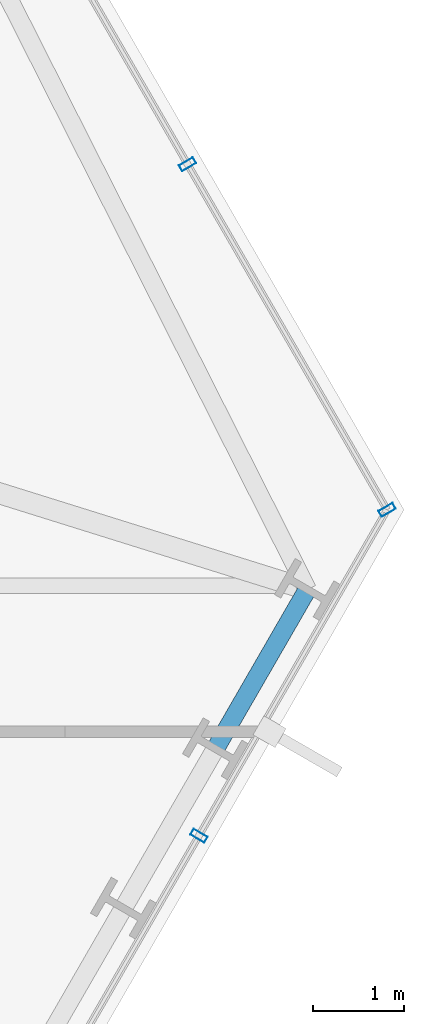
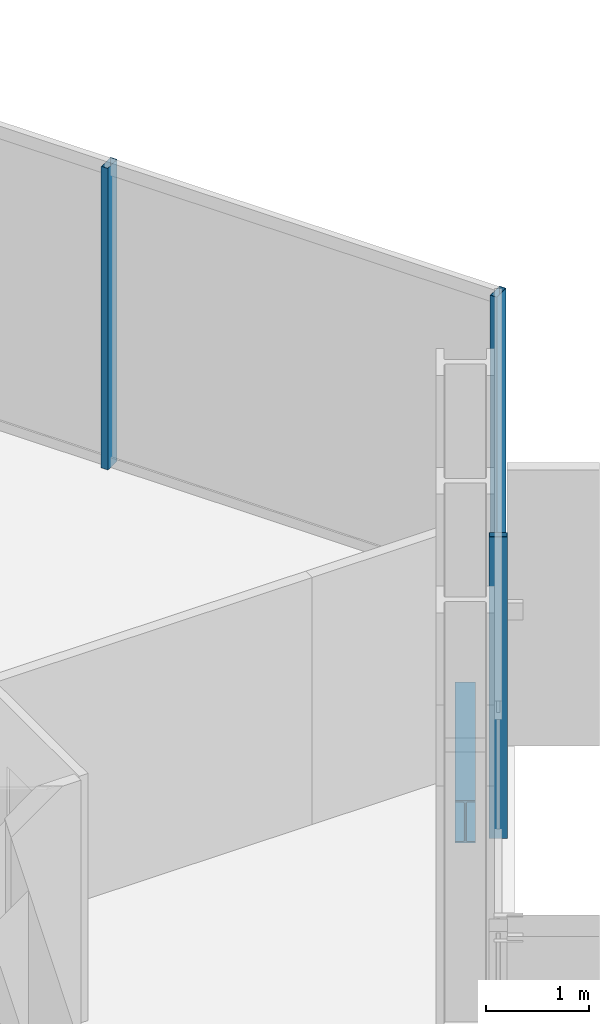
# One storey, part 16 of 33: 3 members, 1 beam, 2 elements without a shape of their own.
"""IFC4 building model written with IfcOpenShell, lengths in metres."""

from ifc_helpers import new_model, si_unit, direction, frame, origin, origin_2d, place, context, subcontext, project, spatial, hollow_rectangle, i_section, extrude, material, layer, layer_set, material_profile, profile_set, type_object, element, aggregate, save


model = new_model("IFC4")

# Units and contexts
model_context = context("Model", 3, precision=1e-05, world=origin(), true_north=direction((0.0, 1.0)))
body_context = subcontext(model_context, "Body", "Model", "MODEL_VIEW")
ifc_project = project(units=[si_unit("LENGTHUNIT", "METRE"), si_unit("AREAUNIT", "SQUARE_METRE"), si_unit("VOLUMEUNIT", "CUBIC_METRE"), si_unit("PLANEANGLEUNIT", "RADIAN"), si_unit("MASSUNIT", "GRAM", prefix="KILO")], contexts=[model_context])

# Site, building, storey
site_placement = place(None, origin())
site = spatial("IfcSite", under=ifc_project, at=site_placement, CompositionType="ELEMENT")
building_placement = place(site_placement, origin())
building = spatial("IfcBuilding", under=site, at=building_placement, Name="Ndaravel Arena Tower", CompositionType="ELEMENT")
storey_placement = place(building_placement, frame((0.0, 0.0, 36.0)))
storey = spatial("IfcBuildingStorey", under=building, at=storey_placement, Name="L06", CompositionType="ELEMENT", Elevation=36.0)

# Beam
ifc_material_1 = material(Name="Steel S355", Category="steel")
ifc_material_profile_1 = material_profile(ifc_material_1, i_section(OverallWidth=0.199951171875, OverallDepth=0.5, WebThickness=0.01025390625, FlangeThickness=0.01611328125, FilletRadius=0.02099609375, at=origin_2d()), Name="IPE 500")
ifc_profile_set_1 = profile_set([ifc_material_profile_1], Name="Steel S355")
beam_type = type_object("IfcBeamType", Name="BM-SPAN-IPE500", PredefinedType="SPANDREL", material=ifc_profile_set_1)
beam_placement = place(storey_placement, frame((63.6474609375, 16.814453125, -0.469970703125), z_axis=(0.499960381356, 0.866048276411, 0.0), x_axis=(-0.866048276411, 0.499960381356, 0.0)))
element("IfcBeam", 1, at=beam_placement, inside=storey, type_object=beam_type, Name="L06 Perimeter Spandrel Beam SP-08", PredefinedType="SPANDREL", context=body_context, shape_type="SweptSolid", body=[
    extrude(i_section(OverallWidth=0.199951171875, OverallDepth=0.5, WebThickness=0.01025390625, FlangeThickness=0.01611328125, FilletRadius=0.02099609375, at=origin_2d()), origin(), (0.0, 0.0, 1.0), 2.013427734375),
])

# Curtain wall, member
ifc_material_2 = material(Name="Aluminium", Category="aluminium")
ifc_layer_1 = layer(ifc_material_2, 0.179931640625)
ifc_layer_set_1 = layer_set([ifc_layer_1], Name="Aluminium")
curtain_wall_type_1 = type_object("IfcCurtainWallType", Name="CW-SYS-01", PredefinedType="NOTDEFINED", material=ifc_layer_set_1)
curtain_wall_1_placement = place(storey_placement, origin())
curtain_wall_1 = element("IfcCurtainWall", 2, at=curtain_wall_1_placement, inside=storey, type_object=curtain_wall_type_1, Name="L06 Faceted Crystal Curtain Wall CW-L06-E02", PredefinedType="NOTDEFINED")
ifc_material_3 = material(Name="Aluminium", Category="aluminium")
ifc_material_profile_2 = material_profile(ifc_material_3, hollow_rectangle(XDim=0.074951171875, YDim=0.179931640625, WallThickness=0.00390625, at=origin_2d()), Name="CW MULLION 75x180x4")
ifc_profile_set_2 = profile_set([ifc_material_profile_2], Name="Aluminium")
member_type = type_object("IfcMemberType", Name="MEM-CW-MUL180", PredefinedType="MULLION", material=ifc_profile_set_2)
member_1_placement = place(storey_placement, frame((63.46728515625, 15.862548828125, 0.0), z_axis=(0.0, 0.0, 1.0), x_axis=(0.5, 0.866025403784, 0.0)))
member_1 = element("IfcMember", 3, at=member_1_placement, type_object=member_type, Name="CW-L06-E02 Mullion 03", PredefinedType="MULLION", context=body_context, shape_type="SweptSolid", body=[
    extrude(hollow_rectangle(XDim=0.074951171875, YDim=0.179931640625, WallThickness=0.00390625, at=origin_2d()), origin(), (0.0, 0.0, 1.0), 3.580078125),
])
aggregate(curtain_wall_1, [member_1])

# Curtain wall, members
ifc_material_4 = material(Name="Aluminium", Category="aluminium")
ifc_layer_2 = layer(ifc_material_4, 0.179931640625)
ifc_layer_set_2 = layer_set([ifc_layer_2], Name="Aluminium")
curtain_wall_type_2 = type_object("IfcCurtainWallType", Name="CW-SYS-03", PredefinedType="NOTDEFINED", material=ifc_layer_set_2)
curtain_wall_2_placement = place(storey_placement, origin())
curtain_wall_2 = element("IfcCurtainWall", 4, at=curtain_wall_2_placement, inside=storey, type_object=curtain_wall_type_2, Name="L06 Faceted Crystal Curtain Wall CW-L06-E03", PredefinedType="NOTDEFINED")
member_2_placement = place(storey_placement, frame((65.527099609375, 19.429931640625, 0.0), z_axis=(0.0, 0.0, 1.0), x_axis=(-0.5, 0.866025403784, 0.0)))
member_2 = element("IfcMember", 5, at=member_2_placement, type_object=member_type, Name="CW-L06-E03 Mullion 00", PredefinedType="MULLION", context=body_context, shape_type="SweptSolid", body=[
    extrude(hollow_rectangle(XDim=0.074951171875, YDim=0.179931640625, WallThickness=0.00390625, at=origin_2d()), origin(), (0.0, 0.0, 1.0), 3.580078125),
])
member_3_placement = place(storey_placement, frame((63.343017578125, 23.212890625, 0.0), z_axis=(0.0, 0.0, 1.0), x_axis=(-0.5, 0.866025403784, 0.0)))
member_3 = element("IfcMember", 6, at=member_3_placement, type_object=member_type, Name="CW-L06-E03 Mullion 01", PredefinedType="MULLION", context=body_context, shape_type="SweptSolid", body=[
    extrude(hollow_rectangle(XDim=0.074951171875, YDim=0.179931640625, WallThickness=0.00390625, at=origin_2d()), origin(), (0.0, 0.0, 1.0), 3.580078125),
])
aggregate(curtain_wall_2, [member_2, member_3])

save(model, "model.ifc")
